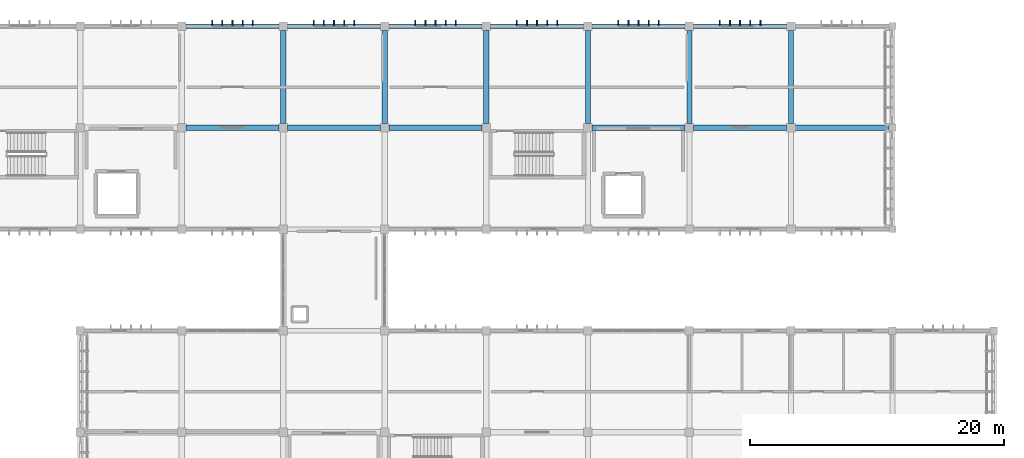
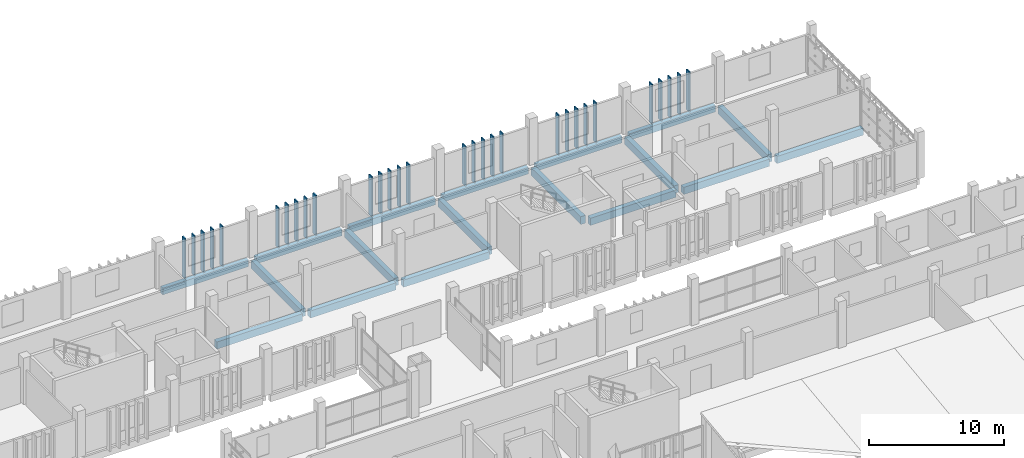
# One storey, part 54 of 83: 30 members, 18 beams.
"""IFC4 building model written with IfcOpenShell, lengths in metres."""

from ifc_helpers import new_model, si_unit, direction, frame, origin, origin_2d, place, context, subcontext, project, spatial, rectangle, extrude, material, material_profile, profile_set, type_object, element, save


model = new_model("IFC4")

# Units and contexts
model_context = context("Model", 3, precision=1e-05, world=origin(), true_north=direction((0.0, 1.0)))
body_context = subcontext(model_context, "Body", "Model", "MODEL_VIEW")
ifc_project = project(units=[si_unit("LENGTHUNIT", "METRE"), si_unit("AREAUNIT", "SQUARE_METRE"), si_unit("VOLUMEUNIT", "CUBIC_METRE"), si_unit("PLANEANGLEUNIT", "RADIAN"), si_unit("MASSUNIT", "GRAM", prefix="KILO")], contexts=[model_context])

# Site, building, storey
site_placement = place(None, origin())
site = spatial("IfcSite", under=ifc_project, at=site_placement, CompositionType="ELEMENT")
building_placement = place(site_placement, origin())
building = spatial("IfcBuilding", under=site, at=building_placement, Name="Jelvoka-Kovrelna Polytechnic", CompositionType="ELEMENT")
storey_placement = place(building_placement, frame((0.0, 0.0, 13.800048828125)))
storey = spatial("IfcBuildingStorey", under=building, at=storey_placement, Name="L04", CompositionType="ELEMENT", Elevation=13.800048828125)

# Beams
ifc_material_1 = material(Name="Concrete C40/50", Category="concrete")
ifc_material_profile_1 = material_profile(ifc_material_1, rectangle(XDim=0.39990234375, YDim=0.64990234375, at=origin_2d()), Name="RC 400x650")
ifc_profile_set_1 = profile_set([ifc_material_profile_1], Name="Concrete C40/50")
beam_type_1 = type_object("IfcBeamType", Name="Beam_RC_400x650", PredefinedType="BEAM", material=ifc_profile_set_1)
for number, where, z_axis, x_axis, name in (
    (1, (136.330078125, 64.0, -0.574951171875), (1.0, 0.0, 0.0), (0.0, 1.0, 0.0), "L04 beam 1306"),
    (2, (144.330078125, 64.0, -0.574951171875), (1.0, 0.0, 0.0), (0.0, 1.0, 0.0), "L04 beam 1307"),
    (3, (152.330078125, 64.0, -0.574951171875), (1.0, 0.0, 0.0), (0.0, 1.0, 0.0), "L04 beam 1308"),
    (4, (168.330078125, 64.0, -0.574951171875), (1.0, 0.0, 0.0), (0.0, 1.0, 0.0), "L04 beam 1309"),
    (5, (176.330078125, 64.0, -0.574951171875), (1.0, 0.0, 0.0), (0.0, 1.0, 0.0), "L04 beam 1310"),
):
    element("IfcBeam", number, at=place(storey_placement, frame(where, z_axis=z_axis, x_axis=x_axis)), inside=storey, type_object=beam_type_1, Name=name, PredefinedType="BEAM", context=body_context, shape_type="SweptSolid", body=[
        extrude(rectangle(XDim=0.39990234375, YDim=0.64990234375, at=origin_2d()), origin(), (0.0, 0.0, 1.0), 7.33984375),
    ])
beam_placement = place(storey_placement, frame((184.330078125, 64.0, -0.574951171875), z_axis=(1.0, 0.0, 0.0), x_axis=(0.0, 1.0, 0.0)))
element("IfcBeam", 6, at=beam_placement, inside=storey, type_object=beam_type_1, Name="L04 beam 1311", PredefinedType="BEAM", context=body_context, shape_type="SweptSolid", body=[
    extrude(rectangle(XDim=0.39990234375, YDim=0.64990234375, at=origin_2d()), origin(), (0.0, 0.0, 1.0), 7.389892578125),
])
ifc_material_2 = material(Name="Concrete C40/50", Category="concrete")
ifc_material_profile_2 = material_profile(ifc_material_2, rectangle(XDim=0.39990234375, YDim=0.699951171875, at=origin_2d()), Name="RC 400x700")
ifc_profile_set_2 = profile_set([ifc_material_profile_2], Name="Concrete C40/50")
beam_type_2 = type_object("IfcBeamType", Name="Beam_RC_400x700", PredefinedType="BEAM", material=ifc_profile_set_2)
for number, where, z_axis, x_axis, name in (
    (7, (144.0, 64.330078125, -0.60009765625), (0.0, 1.0, 0.0), (-1.0, 0.0, 0.0), "L04 beam 1329"),
    (8, (152.0, 64.330078125, -0.60009765625), (0.0, 1.0, 0.0), (-1.0, 0.0, 0.0), "L04 beam 1331"),
    (9, (160.0, 64.330078125, -0.60009765625), (0.0, 1.0, 0.0), (-1.0, 0.0, 0.0), "L04 beam 1333"),
    (10, (168.0, 64.330078125, -0.60009765625), (0.0, 1.0, 0.0), (-1.0, 0.0, 0.0), "L04 beam 1335"),
    (11, (176.0, 64.330078125, -0.60009765625), (0.0, 1.0, 0.0), (-1.0, 0.0, 0.0), "L04 beam 1337"),
    (12, (184.0, 64.330078125, -0.60009765625), (0.0, 1.0, 0.0), (-1.0, 0.0, 0.0), "L04 beam 1339"),
):
    element("IfcBeam", number, at=place(storey_placement, frame(where, z_axis=z_axis, x_axis=x_axis)), inside=storey, type_object=beam_type_2, Name=name, PredefinedType="BEAM", context=body_context, shape_type="SweptSolid", body=[
        extrude(rectangle(XDim=0.39990234375, YDim=0.699951171875, at=origin_2d()), origin(), (0.0, 0.0, 1.0), 7.33984375),
    ])

# Members
ifc_material_3 = material(Name="Precast concrete C40/50", Category="concrete")
ifc_material_profile_3 = material_profile(ifc_material_3, rectangle(XDim=0.10009765625, YDim=0.449951171875, at=origin_2d()), Name="PC 100x450")
ifc_profile_set_3 = profile_set([ifc_material_profile_3], Name="Precast concrete C40/50")
member_type = type_object("IfcMemberType", Name="Louvre_Fin_100x450", PredefinedType="USERDEFINED", material=ifc_profile_set_3)
for number, where, z_axis, x_axis, name in (
    (13, (138.39990234375, 72.264892578125, -0.27001953125), (0.0, 0.0, 1.0), (1.0, 0.0, 0.0), "L04 B3 north vertical solar louvre fin 1721"),
    (14, (139.199951171875, 72.264892578125, -0.27001953125), (0.0, 0.0, 1.0), (1.0, 0.0, 0.0), "L04 B3 north vertical solar louvre fin 1722"),
    (15, (140.0, 72.264892578125, -0.27001953125), (0.0, 0.0, 1.0), (1.0, 0.0, 0.0), "L04 B3 north vertical solar louvre fin 1723"),
    (16, (140.800048828125, 72.264892578125, -0.27001953125), (0.0, 0.0, 1.0), (1.0, 0.0, 0.0), "L04 B3 north vertical solar louvre fin 1724"),
    (17, (141.60009765625, 72.264892578125, -0.27001953125), (0.0, 0.0, 1.0), (1.0, 0.0, 0.0), "L04 B3 north vertical solar louvre fin 1725"),
    (18, (146.39990234375, 72.264892578125, -0.27001953125), (0.0, 0.0, 1.0), (1.0, 0.0, 0.0), "L04 B3 north vertical solar louvre fin 1726"),
    (19, (147.199951171875, 72.264892578125, -0.27001953125), (0.0, 0.0, 1.0), (1.0, 0.0, 0.0), "L04 B3 north vertical solar louvre fin 1727"),
    (20, (148.0, 72.264892578125, -0.27001953125), (0.0, 0.0, 1.0), (1.0, 0.0, 0.0), "L04 B3 north vertical solar louvre fin 1728"),
    (21, (148.800048828125, 72.264892578125, -0.27001953125), (0.0, 0.0, 1.0), (1.0, 0.0, 0.0), "L04 B3 north vertical solar louvre fin 1729"),
    (22, (149.60009765625, 72.264892578125, -0.27001953125), (0.0, 0.0, 1.0), (1.0, 0.0, 0.0), "L04 B3 north vertical solar louvre fin 1730"),
    (23, (154.39990234375, 72.264892578125, -0.27001953125), (0.0, 0.0, 1.0), (1.0, 0.0, 0.0), "L04 B3 north vertical solar louvre fin 1736"),
    (24, (155.199951171875, 72.264892578125, -0.27001953125), (0.0, 0.0, 1.0), (1.0, 0.0, 0.0), "L04 B3 north vertical solar louvre fin 1737"),
    (25, (156.0, 72.264892578125, -0.27001953125), (0.0, 0.0, 1.0), (1.0, 0.0, 0.0), "L04 B3 north vertical solar louvre fin 1738"),
    (26, (156.800048828125, 72.264892578125, -0.27001953125), (0.0, 0.0, 1.0), (1.0, 0.0, 0.0), "L04 B3 north vertical solar louvre fin 1739"),
    (27, (157.60009765625, 72.264892578125, -0.27001953125), (0.0, 0.0, 1.0), (1.0, 0.0, 0.0), "L04 B3 north vertical solar louvre fin 1740"),
    (28, (162.39990234375, 72.264892578125, -0.27001953125), (0.0, 0.0, 1.0), (1.0, 0.0, 0.0), "L04 B3 north vertical solar louvre fin 1746"),
    (29, (163.199951171875, 72.264892578125, -0.27001953125), (0.0, 0.0, 1.0), (1.0, 0.0, 0.0), "L04 B3 north vertical solar louvre fin 1747"),
    (30, (164.0, 72.264892578125, -0.27001953125), (0.0, 0.0, 1.0), (1.0, 0.0, 0.0), "L04 B3 north vertical solar louvre fin 1748"),
    (31, (164.800048828125, 72.264892578125, -0.27001953125), (0.0, 0.0, 1.0), (1.0, 0.0, 0.0), "L04 B3 north vertical solar louvre fin 1749"),
    (32, (165.60009765625, 72.264892578125, -0.27001953125), (0.0, 0.0, 1.0), (1.0, 0.0, 0.0), "L04 B3 north vertical solar louvre fin 1750"),
    (33, (170.39990234375, 72.264892578125, -0.27001953125), (0.0, 0.0, 1.0), (1.0, 0.0, 0.0), "L04 B3 north vertical solar louvre fin 1756"),
    (34, (171.199951171875, 72.264892578125, -0.27001953125), (0.0, 0.0, 1.0), (1.0, 0.0, 0.0), "L04 B3 north vertical solar louvre fin 1757"),
    (35, (172.0, 72.264892578125, -0.27001953125), (0.0, 0.0, 1.0), (1.0, 0.0, 0.0), "L04 B3 north vertical solar louvre fin 1758"),
    (36, (172.800048828125, 72.264892578125, -0.27001953125), (0.0, 0.0, 1.0), (1.0, 0.0, 0.0), "L04 B3 north vertical solar louvre fin 1759"),
    (37, (173.60009765625, 72.264892578125, -0.27001953125), (0.0, 0.0, 1.0), (1.0, 0.0, 0.0), "L04 B3 north vertical solar louvre fin 1760"),
    (38, (178.39990234375, 72.264892578125, -0.27001953125), (0.0, 0.0, 1.0), (1.0, 0.0, 0.0), "L04 B3 north vertical solar louvre fin 1766"),
    (39, (179.199951171875, 72.264892578125, -0.27001953125), (0.0, 0.0, 1.0), (1.0, 0.0, 0.0), "L04 B3 north vertical solar louvre fin 1767"),
    (40, (180.0, 72.264892578125, -0.27001953125), (0.0, 0.0, 1.0), (1.0, 0.0, 0.0), "L04 B3 north vertical solar louvre fin 1768"),
    (41, (180.800048828125, 72.264892578125, -0.27001953125), (0.0, 0.0, 1.0), (1.0, 0.0, 0.0), "L04 B3 north vertical solar louvre fin 1769"),
    (42, (181.60009765625, 72.264892578125, -0.27001953125), (0.0, 0.0, 1.0), (1.0, 0.0, 0.0), "L04 B3 north vertical solar louvre fin 1770"),
):
    element("IfcMember", number, at=place(storey_placement, frame(where, z_axis=z_axis, x_axis=x_axis)), inside=storey, type_object=member_type, Name=name, ObjectType="SUNSHADE", PredefinedType="USERDEFINED", context=body_context, shape_type="SweptSolid", body=[
        extrude(rectangle(XDim=0.10009765625, YDim=0.449951171875, at=origin_2d()), origin(), (0.0, 0.0, 1.0), 3.64501953125),
    ])

# Beams
ifc_material_4 = material(Name="Concrete C40/50", Category="concrete")
ifc_material_profile_4 = material_profile(ifc_material_4, rectangle(XDim=0.35009765625, YDim=0.60009765625, at=origin_2d()), Name="RC 350x600")
ifc_profile_set_4 = profile_set([ifc_material_profile_4], Name="Concrete C40/50")
beam_type_3 = type_object("IfcBeamType", Name="Spandrel_RC_350x600", PredefinedType="SPANDREL", material=ifc_profile_set_4)
for number, where, z_axis, x_axis, name in (
    (43, (136.330078125, 72.0, -0.550048828125), (1.0, 0.0, 0.0), (0.0, 1.0, 0.0), "L04 beam 1315"),
    (44, (144.330078125, 72.0, -0.550048828125), (1.0, 0.0, 0.0), (0.0, 1.0, 0.0), "L04 beam 1316"),
    (45, (152.330078125, 72.0, -0.550048828125), (1.0, 0.0, 0.0), (0.0, 1.0, 0.0), "L04 beam 1317"),
    (46, (160.330078125, 72.0, -0.550048828125), (1.0, 0.0, 0.0), (0.0, 1.0, 0.0), "L04 beam 1318"),
    (47, (168.330078125, 72.0, -0.550048828125), (1.0, 0.0, 0.0), (0.0, 1.0, 0.0), "L04 beam 1319"),
    (48, (176.330078125, 72.0, -0.550048828125), (1.0, 0.0, 0.0), (0.0, 1.0, 0.0), "L04 beam 1320"),
):
    element("IfcBeam", number, at=place(storey_placement, frame(where, z_axis=z_axis, x_axis=x_axis)), inside=storey, type_object=beam_type_3, Name=name, PredefinedType="SPANDREL", context=body_context, shape_type="SweptSolid", body=[
        extrude(rectangle(XDim=0.35009765625, YDim=0.60009765625, at=origin_2d()), origin(), (0.0, 0.0, 1.0), 7.33984375),
    ])

save(model, "model.ifc")
